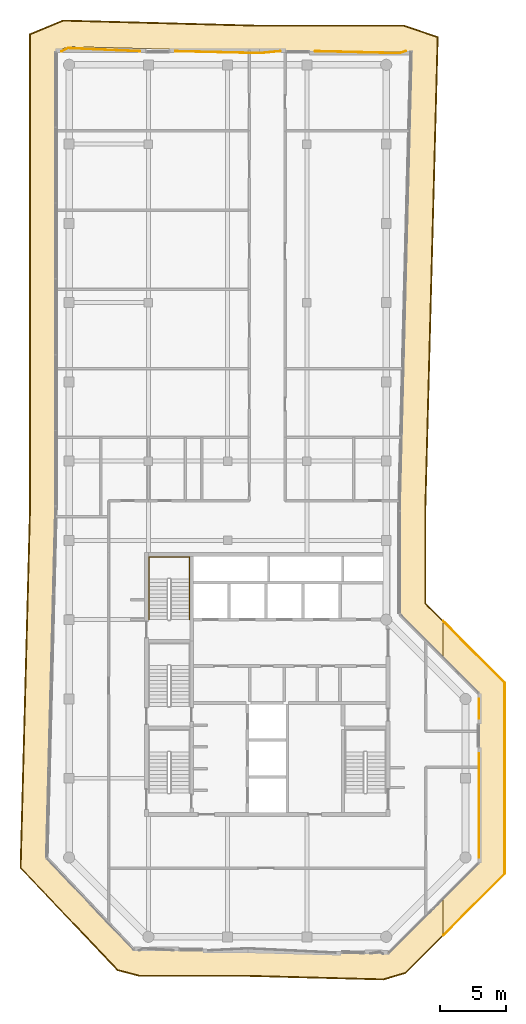
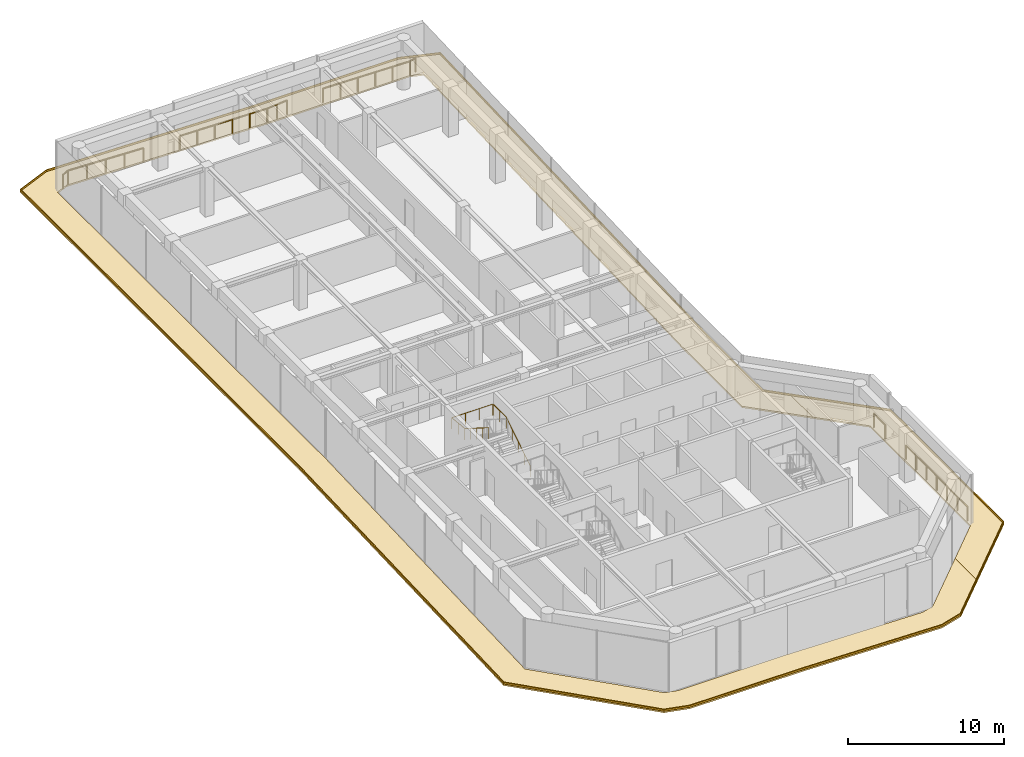
# One storey, part 18 of 18: 6 railings, 4 coverings.
"""IFC4 building model written with IfcOpenShell, lengths in metres."""

import ifcopenshell
import ifcopenshell.guid

model = None  # the IFC model being written
_history = None  # IfcOwnerHistory: only IFC2X3 demands one
_inside = {}  # id of a spatial element -> (the spatial element, [elements in it])
_under = {}  # id of a project, library or spatial element -> (it, [spatial elements below it])
_declared = {}  # id of a project -> (the project, [libraries it declares])
_typed = {}  # id of a type object -> (the type object, [elements of that type])
_made_of = {}  # id of a material, layer set ... -> (it, [elements and type objects made of it])


def new_model(schema):
    """Start an empty IFC model of exactly this schema.

    Asked for "IFC4X3", IfcOpenShell would pick the latest addendum, in which some entities
    have other attributes; the version numbers below select the first issue.
    IFC2X3 requires an IfcOwnerHistory on every rooted entity: one is made here for all.
    """
    global model, _history
    if schema == "IFC4X3":
        model = ifcopenshell.file(schema_version=(4, 3, 0, 0))
    else:
        model = ifcopenshell.file(schema=schema)
    _inside.clear()
    _under.clear()
    _declared.clear()
    _typed.clear()
    _made_of.clear()
    _history = None
    if model.schema == "IFC2X3":
        org = make("IfcOrganization", Name="unknown")
        user = make(
            "IfcPersonAndOrganization",
            ThePerson=make("IfcPerson", FamilyName="unknown"),
            TheOrganization=org,
        )
        app = make(
            "IfcApplication",
            ApplicationDeveloper=org,
            Version="unknown",
            ApplicationFullName="unknown",
            ApplicationIdentifier="unknown",
        )
        _history = make(
            "IfcOwnerHistory",
            OwningUser=user,
            OwningApplication=app,
            ChangeAction="ADDED",
            CreationDate=0,
        )
    return model


def make(cls, **values):
    """One entity of the class cls with the attributes given. An attribute that is None is left unset."""
    return model.create_entity(
        cls, **{name: value for name, value in values.items() if value is not None}
    )


def rooted(cls, **values):
    """An entity with a GlobalId (a new one), such as an element, a storey or a relation."""
    return make(cls, GlobalId=ifcopenshell.guid.new(), OwnerHistory=_history, **values)


def si_unit(unit_type, name, prefix=None):
    """IfcSIUnit, for example si_unit("LENGTHUNIT", "METRE", prefix="MILLI")."""
    return make("IfcSIUnit", UnitType=unit_type, Prefix=prefix, Name=name)


def assignment(units):
    """IfcUnitAssignment: the units of a project."""
    return None if units is None else make("IfcUnitAssignment", Units=units)


def point(xyz):
    """IfcCartesianPoint."""
    return None if xyz is None else make("IfcCartesianPoint", Coordinates=xyz)


def direction(xyz):
    """IfcDirection."""
    return None if xyz is None else make("IfcDirection", DirectionRatios=xyz)


def frame(location, z_axis=None, x_axis=None):
    """IfcAxis2Placement3D, a coordinate frame: its origin and axes. An axis left out is left unset."""
    return make(
        "IfcAxis2Placement3D",
        Location=point(location),
        Axis=direction(z_axis),
        RefDirection=direction(x_axis),
    )


def frame_2d(location, x_axis=None):
    """IfcAxis2Placement2D, a coordinate frame in the plane: its origin and x axis."""
    return make(
        "IfcAxis2Placement2D", Location=point(location), RefDirection=direction(x_axis)
    )


def origin():
    """The frame at (0, 0, 0) with its axes left unset."""
    return frame((0.0, 0.0, 0.0))


def origin_2d():
    """The frame at (0, 0) in the plane with its x axis left unset."""
    return frame_2d((0.0, 0.0))


def place(relative_to, where):
    """IfcLocalPlacement: puts the frame where relative to a parent placement (None: the world)."""
    return make(
        "IfcLocalPlacement", PlacementRelTo=relative_to, RelativePlacement=where
    )


def context(
    kind, dimensions, precision=None, world=None, true_north=None, identifier=None
):
    """IfcGeometricRepresentationContext, for example the 3D "Model" context."""
    return make(
        "IfcGeometricRepresentationContext",
        ContextIdentifier=identifier,
        ContextType=kind,
        CoordinateSpaceDimension=dimensions,
        Precision=precision,
        WorldCoordinateSystem=world,
        TrueNorth=true_north,
    )


def subcontext(parent, identifier, kind, view, scale=None):
    """IfcGeometricRepresentationSubContext, for example "Body" below "Model"."""
    return make(
        "IfcGeometricRepresentationSubContext",
        ContextIdentifier=identifier,
        ContextType=kind,
        ParentContext=parent,
        TargetScale=scale,
        TargetView=view,
    )


def project(units=None, contexts=None):
    """IfcProject with its units and contexts."""
    return rooted(
        "IfcProject",
        Name="project",
        RepresentationContexts=contexts,
        UnitsInContext=assignment(units),
    )


def spatial(cls, under=None, at=None, **own):
    """A site, building, storey or space (cls), placed at a placement, below another one or the project."""
    s = rooted(cls, ObjectPlacement=at, **own)
    if under is not None:
        _under.setdefault(under.id(), (under, []))[1].append(s)
    return s


def polyline(points):
    """IfcPolyline through the points."""
    return make("IfcPolyline", Points=[point(p) for p in points])


def profile(cls, at=None, kind="AREA", **sizes):
    """A parametric profile (cls). Its sizes go by their IFC names, for example OverallWidth=200.0."""
    return make(cls, ProfileType=kind, Position=at, **sizes)


def circle(**sizes):
    """IfcCircleProfileDef."""
    return profile("IfcCircleProfileDef", **sizes)


def outline(outer, holes=None, kind="AREA"):
    """IfcArbitraryClosedProfileDef: a profile drawn as a closed curve; with holes, ...WithVoids."""
    if holes is None:
        return make("IfcArbitraryClosedProfileDef", ProfileType=kind, OuterCurve=outer)
    return make(
        "IfcArbitraryProfileDefWithVoids",
        ProfileType=kind,
        OuterCurve=outer,
        InnerCurves=holes,
    )


def extrude(swept, where, along, depth):
    """IfcExtrudedAreaSolid: the profile swept, set in the frame where, extruded along a direction by depth."""
    return make(
        "IfcExtrudedAreaSolid",
        SweptArea=swept,
        Position=where,
        ExtrudedDirection=direction(along),
        Depth=depth,
    )


def shape(context_of_items, identifier, shape_type, items):
    """IfcShapeRepresentation: the items that make up one representation, for example the "Body"."""
    return make(
        "IfcShapeRepresentation",
        ContextOfItems=context_of_items,
        RepresentationIdentifier=identifier,
        RepresentationType=shape_type,
        Items=items,
    )


def material(Name=None, Category=None):
    """IfcMaterial."""
    return make("IfcMaterial", Name=Name, Category=Category)


def layer(
    of_material, thickness, ventilated=None, Name=None, Category=None, Priority=None
):
    """IfcMaterialLayer: one layer of a wall or slab, of a material (None: an air gap)."""
    return make(
        "IfcMaterialLayer",
        Material=of_material,
        LayerThickness=thickness,
        IsVentilated=ventilated,
        Name=Name,
        Category=Category,
        Priority=Priority,
    )


def layer_set(layers, Name=None):
    """IfcMaterialLayerSet."""
    return make("IfcMaterialLayerSet", MaterialLayers=layers, LayerSetName=Name)


def made_of(thing, what):
    """Note that an element or type object is made of a material, layer set ...; save() writes the relation."""
    if what is not None:
        _made_of.setdefault(what.id(), (what, []))[1].append(thing)
    return thing


def type_object(cls, material=None, **own):
    """A type object (cls), such as IfcWallType, which elements share."""
    return made_of(rooted(cls, **own), material)


def element(
    cls,
    number,
    at=None,
    inside=None,
    cuts=None,
    type_object=None,
    material=None,
    context=None,
    identifier="Body",
    shape_type=None,
    held_by="IfcProductDefinitionShape",
    body=None,
    shapes=None,
    **own,
):
    """One element of the class cls, such as IfcWall. Its Tag is "e" and its number.

    at: its placement. inside: the storey or other place that contains it. cuts: it is an
    opening in that element (IfcRelVoidsElement). A single representation is given by context,
    identifier, shape_type and body (its items); several are given by shapes. held_by: the class
    of the entity that holds the representations. save() writes the other relations.
    """
    e = rooted(cls, Tag="e%d" % number, ObjectPlacement=at, **own)
    if body is not None:
        shapes = [shape(context, identifier, shape_type, body)]
    if shapes is not None:
        e.Representation = make(held_by, Representations=shapes)
    if inside is not None:
        _inside.setdefault(inside.id(), (inside, []))[1].append(e)
    if cuts is not None:
        rooted(
            "IfcRelVoidsElement", RelatingBuildingElement=cuts, RelatedOpeningElement=e
        )
    if type_object is not None:
        _typed.setdefault(type_object.id(), (type_object, []))[1].append(e)
    return made_of(e, material)


def aggregate(whole, parts):
    """IfcRelAggregates: a whole, such as a stair, and the parts it consists of."""
    return rooted("IfcRelAggregates", RelatingObject=whole, RelatedObjects=parts)


def save(model, path):
    """Write the relations noted so far, then the file.

    IfcRelAggregates (storeys below a building ...), IfcRelContainedInSpatialStructure (elements
    in a storey), IfcRelDefinesByType, IfcRelAssociatesMaterial and IfcRelDeclares: one each for
    every whole, place, type object, material and project.
    """
    for whole, parts in _under.values():
        aggregate(whole, parts)
    for where, things in _inside.values():
        rooted(
            "IfcRelContainedInSpatialStructure",
            RelatedElements=things,
            RelatingStructure=where,
        )
    for kind, things in _typed.values():
        rooted("IfcRelDefinesByType", RelatedObjects=things, RelatingType=kind)
    for what, things in _made_of.values():
        rooted("IfcRelAssociatesMaterial", RelatedObjects=things, RelatingMaterial=what)
    for by, libraries in _declared.values():
        rooted("IfcRelDeclares", RelatingContext=by, RelatedDefinitions=libraries)
    model.write(path)


model = new_model("IFC4")

# Units and contexts
model_context = context("Model", 3, precision=1e-05, world=origin(), true_north=direction((0.0, 1.0)))
body_context = subcontext(model_context, "Body", "Model", "MODEL_VIEW")
ifc_project = project(units=[si_unit("LENGTHUNIT", "METRE"), si_unit("AREAUNIT", "SQUARE_METRE"), si_unit("VOLUMEUNIT", "CUBIC_METRE"), si_unit("PLANEANGLEUNIT", "RADIAN"), si_unit("MASSUNIT", "GRAM", prefix="KILO")], contexts=[model_context])

# Site, building, storey
site_placement = place(None, origin())
site = spatial("IfcSite", under=ifc_project, at=site_placement, CompositionType="ELEMENT")
building_placement = place(site_placement, origin())
building = spatial("IfcBuilding", under=site, at=building_placement, Name="Welwitschia Terrace Campus", CompositionType="ELEMENT")
storey_placement = place(building_placement, frame((0.0, 0.0, 281.0)))
storey = spatial("IfcBuildingStorey", under=building, at=storey_placement, Name="L62", CompositionType="ELEMENT", Elevation=281.0)

# Railings
ifc_material_1 = material(Name="Stainless steel grade 316", Category="steel")
railing_type_1 = type_object("IfcRailingType", Name="Guard 1100", PredefinedType="GUARDRAIL", material=ifc_material_1)
railing_1_placement = place(storey_placement, frame((-0.581298828125, 63.020263671875, 0.0)))
element("IfcRailing", 1, at=railing_1_placement, inside=storey, type_object=railing_type_1, Name="Guard floor edge L62.0", PredefinedType="GUARDRAIL", context=body_context, shape_type="SweptSolid", body=[
    extrude(circle(Radius=0.02392578125, at=origin_2d()), frame((0.0, 0.0, 1.076171875), z_axis=(0.906874009798, 0.421401863254, 0.0), x_axis=(-0.421401863254, 0.906874009798, 0.0)), (0.0, 0.0, 1.0), 0.56787109375),
    extrude(circle(Radius=0.02392578125, at=origin_2d()), frame((0.514892578125, 0.2392578125, 1.076171875), z_axis=(0.999060141539, -0.04334551404, 0.0), x_axis=(0.04334551404, 0.999060141539, 0.0)), (0.0, 0.0, 1.0), 5.4296875),
    extrude(circle(Radius=0.02099609375, at=origin_2d()), origin(), (0.0, 0.0, 1.0), 1.052001953125),
    extrude(circle(Radius=0.02099609375, at=origin_2d()), frame((0.514892578125, 0.2392578125, 0.0)), (0.0, 0.0, 1.0), 1.052001953125),
    extrude(circle(Radius=0.02099609375, at=origin_2d()), frame((1.87109375, 0.180419921875, 0.0)), (0.0, 0.0, 1.0), 1.052001953125),
    extrude(circle(Radius=0.02099609375, at=origin_2d()), frame((3.22705078125, 0.12158203125, 0.0)), (0.0, 0.0, 1.0), 1.052001953125),
    extrude(circle(Radius=0.02099609375, at=origin_2d()), frame((4.583251953125, 0.062744140625, 0.0)), (0.0, 0.0, 1.0), 1.052001953125),
    extrude(circle(Radius=0.02099609375, at=origin_2d()), frame((5.939453125, 0.00390625, 0.0)), (0.0, 0.0, 1.0), 1.052001953125),
])
railing_2_placement = place(storey_placement, frame((8.047119140625, 63.02587890625, 0.0)))
element("IfcRailing", 2, at=railing_2_placement, inside=storey, type_object=railing_type_1, Name="Guard floor edge L62.2", PredefinedType="GUARDRAIL", context=body_context, shape_type="SweptSolid", body=[
    extrude(circle(Radius=0.02392578125, at=origin_2d()), frame((0.0, 0.0, 1.076171875), z_axis=(0.999738067817, -0.022886584663, 0.0), x_axis=(0.022886584663, 0.999738067817, 0.0)), (0.0, 0.0, 1.0), 6.379150390625),
    extrude(circle(Radius=0.02392578125, at=origin_2d()), frame((6.37744140625, -0.14599609375, 1.076171875), z_axis=(0.995381820643, 0.095994953692, 0.0), x_axis=(-0.095994953692, 0.995381820643, 0.0)), (0.0, 0.0, 1.0), 1.564208984375),
    extrude(circle(Radius=0.02099609375, at=origin_2d()), origin(), (0.0, 0.0, 1.0), 1.052001953125),
    extrude(circle(Radius=0.02099609375, at=origin_2d()), frame((1.275390625, -0.029296875, 0.0)), (0.0, 0.0, 1.0), 1.052001953125),
    extrude(circle(Radius=0.02099609375, at=origin_2d()), frame((2.551025390625, -0.058349609375, 0.0)), (0.0, 0.0, 1.0), 1.052001953125),
    extrude(circle(Radius=0.02099609375, at=origin_2d()), frame((3.826416015625, -0.087646484375, 0.0)), (0.0, 0.0, 1.0), 1.052001953125),
    extrude(circle(Radius=0.02099609375, at=origin_2d()), frame((5.10205078125, -0.11669921875, 0.0)), (0.0, 0.0, 1.0), 1.052001953125),
    extrude(circle(Radius=0.02099609375, at=origin_2d()), frame((6.37744140625, -0.14599609375, 0.0)), (0.0, 0.0, 1.0), 1.052001953125),
    extrude(circle(Radius=0.02099609375, at=origin_2d()), frame((7.15576171875, -0.07080078125, 0.0)), (0.0, 0.0, 1.0), 1.052001953125),
    extrude(circle(Radius=0.02099609375, at=origin_2d()), frame((7.934326171875, 0.004150390625, 0.0)), (0.0, 0.0, 1.0), 1.052001953125),
])
railing_3_placement = place(storey_placement, frame((18.62890625, 63.030029296875, 0.0)))
element("IfcRailing", 3, at=railing_3_placement, inside=storey, type_object=railing_type_1, Name="Guard floor edge L62.4", PredefinedType="GUARDRAIL", context=body_context, shape_type="SweptSolid", body=[
    extrude(circle(Radius=0.02392578125, at=origin_2d()), frame((0.0, 0.0, 1.076171875), z_axis=(0.999720708823, -0.023632696645, 0.0), x_axis=(0.023632696645, 0.999720708823, 0.0)), (0.0, 0.0, 1.0), 6.353271484375),
    extrude(circle(Radius=0.02392578125, at=origin_2d()), frame((6.3515625, -0.150146484375, 1.076171875), z_axis=(0.958056829059, 0.286578283011, 0.0), x_axis=(-0.286578283011, 0.958056829059, 0.0)), (0.0, 0.0, 1.0), 0.52392578125),
    extrude(circle(Radius=0.02099609375, at=origin_2d()), origin(), (0.0, 0.0, 1.0), 1.052001953125),
    extrude(circle(Radius=0.02099609375, at=origin_2d()), frame((1.270263671875, -0.030029296875, 0.0)), (0.0, 0.0, 1.0), 1.052001953125),
    extrude(circle(Radius=0.02099609375, at=origin_2d()), frame((2.54052734375, -0.06005859375, 0.0)), (0.0, 0.0, 1.0), 1.052001953125),
    extrude(circle(Radius=0.02099609375, at=origin_2d()), frame((3.81103515625, -0.090087890625, 0.0)), (0.0, 0.0, 1.0), 1.052001953125),
    extrude(circle(Radius=0.02099609375, at=origin_2d()), frame((5.081298828125, -0.1201171875, 0.0)), (0.0, 0.0, 1.0), 1.052001953125),
    extrude(circle(Radius=0.02099609375, at=origin_2d()), frame((6.3515625, -0.150146484375, 0.0)), (0.0, 0.0, 1.0), 1.052001953125),
    extrude(circle(Radius=0.02099609375, at=origin_2d()), frame((6.853515625, 0.0, 0.0)), (0.0, 0.0, 1.0), 1.052001953125),
])
railing_4_placement = place(storey_placement, frame((31.030029296875, 9.8896484375, 0.0)))
element("IfcRailing", 4, at=railing_4_placement, inside=storey, type_object=railing_type_1, Name="Guard floor edge L62.6", PredefinedType="GUARDRAIL", context=body_context, shape_type="SweptSolid", body=[
    extrude(circle(Radius=0.02392578125, at=origin_2d()), frame((0.0, 0.0, 1.076171875), z_axis=(0.0, -1.0, 0.0), x_axis=(1.0, 0.0, 0.0)), (0.0, 0.0, 1.0), 7.892578125),
    extrude(circle(Radius=0.02099609375, at=origin_2d()), origin(), (0.0, 0.0, 1.0), 1.052001953125),
    extrude(circle(Radius=0.02099609375, at=origin_2d()), frame((0.0, -1.3154296875, 0.0)), (0.0, 0.0, 1.0), 1.052001953125),
    extrude(circle(Radius=0.02099609375, at=origin_2d()), frame((0.0, -2.630859375, 0.0)), (0.0, 0.0, 1.0), 1.052001953125),
    extrude(circle(Radius=0.02099609375, at=origin_2d()), frame((0.0, -3.9462890625, 0.0)), (0.0, 0.0, 1.0), 1.052001953125),
    extrude(circle(Radius=0.02099609375, at=origin_2d()), frame((0.0, -5.26171875, 0.0)), (0.0, 0.0, 1.0), 1.052001953125),
    extrude(circle(Radius=0.02099609375, at=origin_2d()), frame((0.0, -6.5771484375, 0.0)), (0.0, 0.0, 1.0), 1.052001953125),
    extrude(circle(Radius=0.02099609375, at=origin_2d()), frame((0.0, -7.892578125, 0.0)), (0.0, 0.0, 1.0), 1.052001953125),
])
railing_5_placement = place(storey_placement, frame((31.030029296875, 14.0029296875, 0.0)))
element("IfcRailing", 5, at=railing_5_placement, inside=storey, type_object=railing_type_1, Name="Guard floor edge L62.7", PredefinedType="GUARDRAIL", context=body_context, shape_type="SweptSolid", body=[
    extrude(circle(Radius=0.02392578125, at=origin_2d()), frame((0.0, 0.0, 1.076171875), z_axis=(0.0, -1.0, 0.0), x_axis=(1.0, 0.0, 0.0)), (0.0, 0.0, 1.0), 1.4658203125),
    extrude(circle(Radius=0.02099609375, at=origin_2d()), origin(), (0.0, 0.0, 1.0), 1.052001953125),
    extrude(circle(Radius=0.02099609375, at=origin_2d()), frame((0.0, -1.4658203125, 0.0)), (0.0, 0.0, 1.0), 1.052001953125),
])
ifc_material_2 = material(Name="Steel S355", Category="steel")
railing_type_2 = type_object("IfcRailingType", Name="Stair handrail 900", PredefinedType="HANDRAIL", material=ifc_material_2)
railing_6_placement = place(storey_placement, frame((9.10009765625, 20.0, 0.175048828125)))
element("IfcRailing", 6, at=railing_6_placement, inside=storey, type_object=railing_type_2, Name="L62 S4 stair handrail", PredefinedType="HANDRAIL", context=body_context, shape_type="SweptSolid", body=[
    extrude(circle(Radius=0.02392578125, at=origin_2d()), frame((0.0, 0.0, 0.8759765625), z_axis=(0.0, 0.847998304005, 0.529998940003), x_axis=(-1.0, 0.0, 0.0)), (0.0, 0.0, 1.0), 3.632080078125),
    extrude(circle(Radius=0.02392578125, at=origin_2d()), frame((0.0, 3.080078125, 2.80078125), z_axis=(0.0, 1.0, 0.0), x_axis=(-1.0, 0.0, 0.0)), (0.0, 0.0, 1.0), 1.669921875),
    extrude(circle(Radius=0.02392578125, at=origin_2d()), frame((0.0, 4.75, 2.80078125), z_axis=(-1.0, 0.0, 0.0), x_axis=(0.0, -1.0, 0.0)), (0.0, 0.0, 1.0), 3.050048828125),
    extrude(circle(Radius=0.02392578125, at=origin_2d()), frame((-3.050048828125, 4.75, 2.80078125), z_axis=(0.0, -0.994565838508, 0.104109523446), x_axis=(1.0, 0.0, 0.0)), (0.0, 0.0, 1.0), 1.678955078125),
    extrude(circle(Radius=0.02392578125, at=origin_2d()), frame((-3.050048828125, 3.080078125, 2.9755859375), z_axis=(0.0, -0.847998304005, 0.529998940003), x_axis=(1.0, 0.0, 0.0)), (0.0, 0.0, 1.0), 3.632080078125),
    extrude(circle(Radius=0.02099609375, at=origin_2d()), origin(), (0.0, 0.0, 1.0), 0.851806640625),
    extrude(circle(Radius=0.02099609375, at=origin_2d()), frame((0.0, 0.77001953125, 0.481201171875)), (0.0, 0.0, 1.0), 0.851806640625),
    extrude(circle(Radius=0.02099609375, at=origin_2d()), frame((0.0, 1.5400390625, 0.96240234375)), (0.0, 0.0, 1.0), 0.851806640625),
    extrude(circle(Radius=0.02099609375, at=origin_2d()), frame((0.0, 2.31005859375, 1.44384765625)), (0.0, 0.0, 1.0), 0.851806640625),
    extrude(circle(Radius=0.02099609375, at=origin_2d()), frame((0.0, 3.080078125, 1.925048828125)), (0.0, 0.0, 1.0), 0.851806640625),
    extrude(circle(Radius=0.02099609375, at=origin_2d()), frame((0.0, 3.9150390625, 1.925048828125)), (0.0, 0.0, 1.0), 0.851806640625),
    extrude(circle(Radius=0.02099609375, at=origin_2d()), frame((0.0, 4.75, 1.925048828125)), (0.0, 0.0, 1.0), 0.851806640625),
    extrude(circle(Radius=0.02099609375, at=origin_2d()), frame((-1.0166015625, 4.75, 1.925048828125)), (0.0, 0.0, 1.0), 0.851806640625),
    extrude(circle(Radius=0.02099609375, at=origin_2d()), frame((-2.033447265625, 4.75, 1.925048828125)), (0.0, 0.0, 1.0), 0.851806640625),
    extrude(circle(Radius=0.02099609375, at=origin_2d()), frame((-3.050048828125, 4.75, 1.925048828125)), (0.0, 0.0, 1.0), 0.851806640625),
    extrude(circle(Radius=0.02099609375, at=origin_2d()), frame((-3.050048828125, 3.9150390625, 2.012451171875)), (0.0, 0.0, 1.0), 0.851806640625),
    extrude(circle(Radius=0.02099609375, at=origin_2d()), frame((-3.050048828125, 3.080078125, 2.099853515625)), (0.0, 0.0, 1.0), 0.851806640625),
    extrude(circle(Radius=0.02099609375, at=origin_2d()), frame((-3.050048828125, 2.31005859375, 2.5810546875)), (0.0, 0.0, 1.0), 0.851806640625),
    extrude(circle(Radius=0.02099609375, at=origin_2d()), frame((-3.050048828125, 1.5400390625, 3.0625)), (0.0, 0.0, 1.0), 0.851806640625),
    extrude(circle(Radius=0.02099609375, at=origin_2d()), frame((-3.050048828125, 0.77001953125, 3.543701171875)), (0.0, 0.0, 1.0), 0.851806640625),
    extrude(circle(Radius=0.02099609375, at=origin_2d()), frame((-3.050048828125, 0.0, 4.02490234375)), (0.0, 0.0, 1.0), 0.851806640625),
])

# Coverings
ifc_material_3 = material(Name="Bronze anodised aluminium", Category="aluminium")
ifc_layer_1 = layer(ifc_material_3, 0.1201171875)
ifc_layer_set_1 = layer_set([ifc_layer_1], Name="Bronze anodised aluminium")
covering_type_1 = type_object("IfcCoveringType", Name="Sunshade band 2000", PredefinedType="USERDEFINED", material=ifc_layer_set_1)
covering_1_placement = place(storey_placement, frame((0.0, 0.0, -0.25)))
element("IfcCovering", 7, at=covering_1_placement, inside=storey, type_object=covering_type_1, Name="SUNSHADE L62.SW0", ObjectType="SUNSHADE", PredefinedType="USERDEFINED", context=body_context, shape_type="SweptSolid", body=[
    extrude(outline(polyline([(14.452392578125, 65.0), (25.32421875, 65.0), (27.9404296875, 64.128662109375), (27.0, 28.217529296875), (27.0, 21.24267578125), (28.303466796875, 19.939208984375), (28.303466796875, 17.110595703125), (25.0, 20.414306640625), (25.0, 28.24365234375), (25.90234375, 62.699462890625), (25.0, 63.0), (14.426025390625, 63.0), (-0.0888671875, 63.380126953125), (-1.0, 63.0), (-1.0, 28.583984375), (-1.696533203125, 1.98681640625), (4.714599609375, -4.76904296875), (5.585693359375, -5.0), (13.535888671875, -5.0), (23.53662109375, -5.261962890625), (24.414306640625, -5.0), (28.303466796875, -1.110595703125), (28.303466796875, -3.939208984375), (25.470703125, -6.77197265625), (23.802978515625, -7.26953125), (13.509765625, -7.0), (5.3251953125, -7.0), (3.654052734375, -6.556884765625), (-3.717529296875, 1.211181640625), (-3.0, 28.6103515625), (-3.0, 64.332763671875), (-0.464111328125, 65.390625), (14.452392578125, 65.0)])), origin(), (0.0, 0.0, 1.0), 0.1201171875),
])
covering_2_placement = place(storey_placement, frame((0.0, 0.0, -0.25)))
element("IfcCovering", 8, at=covering_2_placement, inside=storey, type_object=covering_type_1, Name="SUNSHADE L62.SE0", ObjectType="SUNSHADE", PredefinedType="USERDEFINED", context=body_context, shape_type="SweptSolid", body=[
    extrude(outline(polyline([(33.0, 15.24267578125), (33.0, 0.75732421875), (28.303466796875, -3.939208984375), (28.303466796875, -1.110595703125), (31.0, 1.585693359375), (31.0, 14.414306640625), (28.303466796875, 17.110595703125), (28.303466796875, 19.939208984375), (33.0, 15.24267578125)])), origin(), (0.0, 0.0, 1.0), 0.1201171875),
])
ifc_material_4 = material(Name="Bronze anodised aluminium", Category="aluminium")
ifc_layer_2 = layer(ifc_material_4, 0.06005859375)
ifc_layer_set_2 = layer_set([ifc_layer_2], Name="Bronze anodised aluminium")
covering_type_2 = type_object("IfcCoveringType", Name="Sunshade lip 60", PredefinedType="USERDEFINED", material=ifc_layer_set_2)
covering_3_placement = place(storey_placement, frame((0.0, 0.0, -0.1298828125)))
element("IfcCovering", 9, at=covering_3_placement, inside=storey, type_object=covering_type_2, Name="SUNSHADE LIP L62.SW0.0", ObjectType="SUNSHADE", PredefinedType="USERDEFINED", context=body_context, shape_type="SweptSolid", body=[
    extrude(outline(polyline([(25.32421875, 65.0), (27.9404296875, 64.128662109375), (27.0, 28.217529296875), (27.0, 21.24267578125), (28.303466796875, 19.939208984375), (28.303466796875, 19.854248046875), (26.93994140625, 21.2177734375), (26.93994140625, 28.218505859375), (27.879150390625, 64.085693359375), (25.314697265625, 64.93994140625), (14.451416015625, 64.93994140625), (-0.452880859375, 65.330322265625), (-2.93994140625, 64.292724609375), (-2.93994140625, 28.609619140625), (-3.65673828125, 1.234375), (3.685791015625, -6.50341796875), (5.3330078125, -6.93994140625), (13.510498046875, -6.93994140625), (23.794921875, -7.209228515625), (25.439208984375, -6.71875), (28.303466796875, -3.854248046875), (28.303466796875, -3.939208984375), (25.470703125, -6.77197265625), (23.802978515625, -7.26953125), (13.509765625, -7.0), (5.3251953125, -7.0), (3.654052734375, -6.556884765625), (-3.717529296875, 1.211181640625), (-3.0, 28.6103515625), (-3.0, 64.332763671875), (-0.464111328125, 65.390625), (14.452392578125, 65.0), (25.32421875, 65.0)])), origin(), (0.0, 0.0, 1.0), 0.1298828125),
])
covering_4_placement = place(storey_placement, frame((0.0, 0.0, -0.1298828125)))
element("IfcCovering", 10, at=covering_4_placement, inside=storey, type_object=covering_type_2, Name="SUNSHADE LIP L62.SE0.0", ObjectType="SUNSHADE", PredefinedType="USERDEFINED", context=body_context, shape_type="SweptSolid", body=[
    extrude(outline(polyline([(33.0, 0.75732421875), (28.303466796875, -3.939208984375), (28.303466796875, -3.854248046875), (32.93994140625, 0.7822265625), (32.93994140625, 15.2177734375), (28.303466796875, 19.854248046875), (28.303466796875, 19.939208984375), (33.0, 15.24267578125), (33.0, 0.75732421875)])), origin(), (0.0, 0.0, 1.0), 0.1298828125),
])

save(model, "model.ifc")
